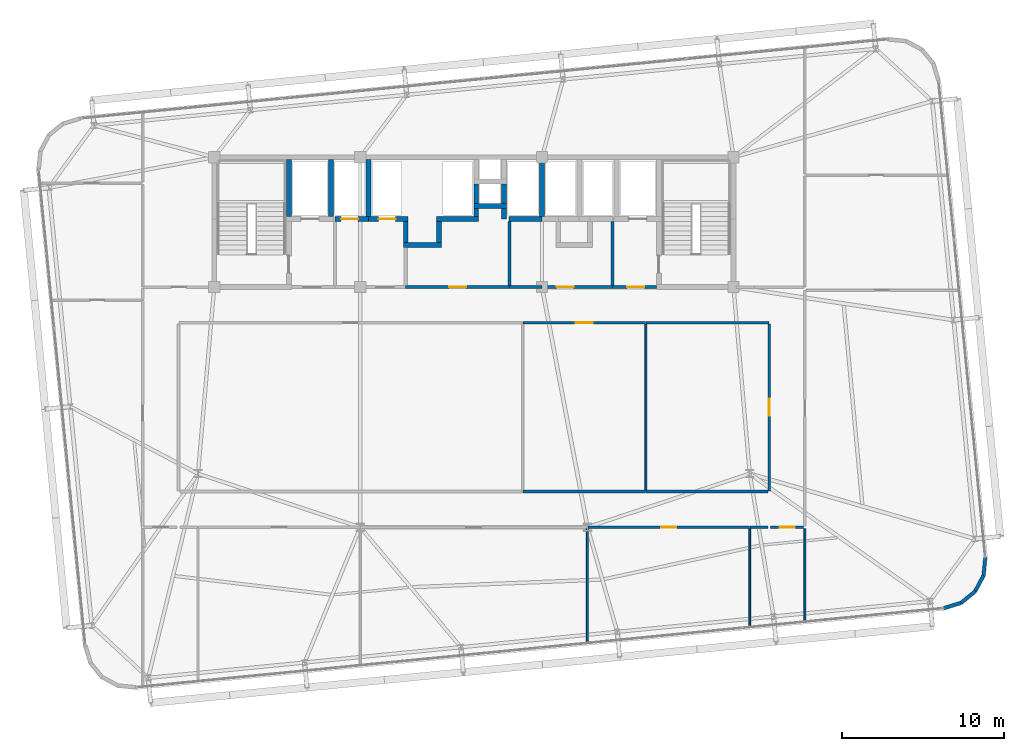
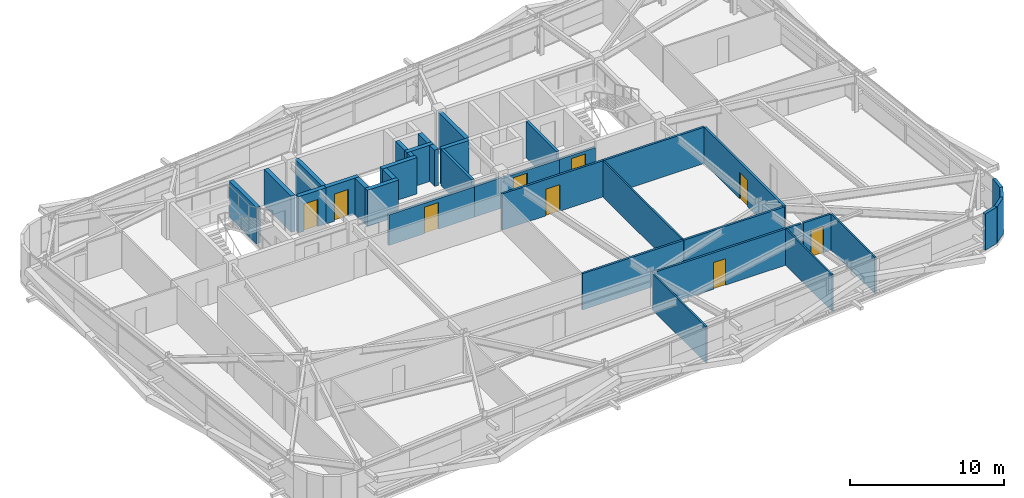
# One storey, part 42 of 47: 38 walls, 9 doors, 9 openings.
"""IFC4 building model written with IfcOpenShell, lengths in metres."""

from ifc_helpers import new_model, si_unit, direction, frame, frame_2d, origin, place, context, subcontext, project, spatial, rectangle, extrude, source, transform, mapped, material, layer, layer_set, type_object, element, fill, save


model = new_model("IFC4")

# Units and contexts
model_context = context("Model", 3, precision=1e-05, world=origin(), true_north=direction((0.0, 1.0)))
body_context = subcontext(model_context, "Body", "Model", "MODEL_VIEW")
ifc_project = project(units=[si_unit("LENGTHUNIT", "METRE"), si_unit("AREAUNIT", "SQUARE_METRE"), si_unit("VOLUMEUNIT", "CUBIC_METRE"), si_unit("PLANEANGLEUNIT", "RADIAN"), si_unit("MASSUNIT", "GRAM", prefix="KILO")], contexts=[model_context])

# Site, building, storey
site_placement = place(None, origin())
site = spatial("IfcSite", under=ifc_project, at=site_placement, CompositionType="ELEMENT")
building_placement = place(site_placement, origin())
building = spatial("IfcBuilding", under=site, at=building_placement, Name="Taldren Reach Tower", CompositionType="ELEMENT")
storey_placement = place(building_placement, frame((0.0, 0.0, 109.199951171875)))
storey = spatial("IfcBuildingStorey", under=building, at=storey_placement, Name="L33", CompositionType="ELEMENT", Elevation=109.199951171875)

# Walls
ifc_material_1 = material(Name="Pale Champagne Anodised Aluminium Cladding", Category="aluminium")
ifc_layer_1 = layer(ifc_material_1, 0.04, Name="Pale Champagne Anodised Aluminium Cladding", Category="aluminium")
ifc_material_2 = material(Name="Mineral Wool Acoustic Insulation", Category="insulation")
ifc_layer_2 = layer(ifc_material_2, 0.06, Name="Mineral Wool Acoustic Insulation", Category="insulation")
ifc_material_3 = material(Name="Steel Gr 350 (C350L0)", Category="steel")
ifc_layer_3 = layer(ifc_material_3, 0.12, Name="Steel Gr 350 (C350L0)", Category="steel")
ifc_layer_set_1 = layer_set([ifc_layer_1, ifc_layer_2, ifc_layer_3], Name="Pale Champagne Aluminium Cladding and Steel Gr 350 Stud Framing")
wall_type_1 = type_object("IfcWallType", Name="EW-CRN-220", PredefinedType="SOLIDWALL", material=ifc_layer_set_1)
shared_shape_1 = source(origin(), body_context, "Body", "SweptSolid", [
    extrude(rectangle(XDim=1.115966796875, YDim=0.219970703125, at=frame_2d((0.55810546875, 0.0))), origin(), (0.0, 0.0, 1.0), 2.8701171875),
])
for number, where, z_axis, x_axis, name in (
    (1, (65.01708984375, 4.537109375, 0.0), (0.0, 0.0, 1.0), (0.773342870285, 0.633988016432, 0.0), "Rounded-corner pale-metal facade wall L33-SE2"),
    (2, (66.406494140625, 6.228515625, 0.0), (0.0, 0.0, 1.0), (0.09844234778, 0.995142755671, 0.0), "Rounded-corner pale-metal facade wall L33-SE4"),
):
    element("IfcWall", number, at=place(storey_placement, frame(where, z_axis=z_axis, x_axis=x_axis)), inside=storey, type_object=wall_type_1, Name=name, PredefinedType="SOLIDWALL", context=body_context, shape_type="MappedRepresentation", body=[
        mapped(shared_shape_1, transform((0.0, 0.0, 0.0), scale=1.0)),
    ])
shared_shape_2 = source(origin(), body_context, "Body", "SweptSolid", [
    extrude(rectangle(XDim=1.11572265625, YDim=0.219970703125, at=frame_2d((0.557861328125, 0.0))), origin(), (0.0, 0.0, 1.0), 2.8701171875),
])
for number, where, z_axis, x_axis, name in (
    (3, (63.94921875, 4.213623046875, 0.0), (0.0, 0.0, 1.0), (0.957052003726, 0.289916301997, 0.0), "Rounded-corner pale-metal facade wall L33-SE1"),
    (4, (65.880126953125, 5.24462890625, 0.0), (0.0, 0.0, 1.0), (0.471723463201, 0.881746547635, 0.0), "Rounded-corner pale-metal facade wall L33-SE3"),
):
    element("IfcWall", number, at=place(storey_placement, frame(where, z_axis=z_axis, x_axis=x_axis)), inside=storey, type_object=wall_type_1, Name=name, PredefinedType="SOLIDWALL", context=body_context, shape_type="MappedRepresentation", body=[
        mapped(shared_shape_2, transform((0.0, 0.0, 0.0), scale=1.0)),
    ])

# Wall, opening, door
ifc_material_4 = material(Name="Fire-Rated Acoustic Plasterboard Stud Wall", Category="gypsum")
ifc_layer_4 = layer(ifc_material_4, 0.159912109375)
ifc_layer_set_2 = layer_set([ifc_layer_4], Name="Fire-Rated Acoustic Plasterboard Stud Wall")
wall_type_2 = type_object("IfcWallType", Name="IW-FIRE-160", PredefinedType="PARTITIONING", material=ifc_layer_set_2)
shared_shape_3 = source(origin(), body_context, "Body", "SweptSolid", [
    extrude(rectangle(XDim=10.2998046875, YDim=0.159912109375, at=frame_2d((5.14990234375, 0.0))), origin(), (0.0, 0.0, 1.0), 2.8701171875),
])
wall_1_placement = place(storey_placement, frame((53.199951171875, 11.420166015625, 0.0), z_axis=(0.0, 0.0, 1.0), x_axis=(0.0, 1.0, 0.0)))
wall_1 = element("IfcWall", 5, at=wall_1_placement, inside=storey, type_object=wall_type_2, Name="Interior Partition Wall W-INT-L33-048", PredefinedType="PARTITIONING", context=body_context, shape_type="MappedRepresentation", body=[
    mapped(shared_shape_3, transform((0.0, 0.0, 0.0), scale=1.0)),
])
shared_shape_4 = source(origin(), body_context, "Body", "SweptSolid", [
    extrude(rectangle(XDim=1.050048828125, YDim=2.10009765625, at=frame_2d((0.52490234375, 1.050048828125))), frame((0.0, 0.08984375, 0.0), z_axis=(0.0, -1.0, 0.0), x_axis=(1.0, 0.0, 0.0)), (0.0, 0.0, 1.0), 0.179931640625),
])
opening_1_placement = place(wall_1_placement, frame((4.65478515625, 0.0, 0.0)))
opening_1 = element("IfcOpeningElement", 6, at=opening_1_placement, cuts=wall_1, Name="Opening DF-105", PredefinedType="OPENING", context=body_context, shape_type="MappedRepresentation", body=[
    mapped(shared_shape_4, transform((0.0, 0.0, 0.0), scale=1.0)),
])
ifc_material_5 = material(Name="Fire-Rated Care and Stair Exit Door")
door_type_1 = type_object("IfcDoorType", Name="ID-FIRE-105", OperationType="NOTDEFINED", PredefinedType="DOOR", material=ifc_material_5)
shared_shape_5 = source(origin(), body_context, "Body", "SweptSolid", [
    extrude(rectangle(XDim=1.050048828125, YDim=2.10009765625, at=frame_2d((0.52490234375, 1.050048828125))), frame((0.0, 0.02490234375, 0.0), z_axis=(0.0, -1.0, 0.0), x_axis=(1.0, 0.0, 0.0)), (0.0, 0.0, 1.0), 0.050048828125),
])
door_1_placement = place(opening_1_placement, origin())
door_1 = element("IfcDoor", 7, at=door_1_placement, inside=storey, type_object=door_type_1, Name="Interior Door DR-L33-010", OperationType="SINGLE_SWING_LEFT", OverallHeight=2.10009765625, OverallWidth=1.050048828125, PredefinedType="DOOR", context=body_context, shape_type="MappedRepresentation", body=[
    mapped(shared_shape_5, transform((0.0, 0.0, 0.0), scale=1.0)),
])
fill(opening_1, door_1)

shared_shape_6 = source(origin(), body_context, "Body", "SweptSolid", [
    extrude(rectangle(XDim=9.95947265625, YDim=0.159912109375, at=frame_2d((4.979736328125, 0.0))), origin(), (0.0, 0.0, 1.0), 2.8701171875),
])
wall_2_placement = place(storey_placement, frame((51.979736328125, 9.199951171875, 0.0), z_axis=(0.0, 0.0, 1.0), x_axis=(-1.0, 0.0, 0.0)))
wall_2 = element("IfcWall", 8, at=wall_2_placement, inside=storey, type_object=wall_type_2, Name="Interior Partition Wall W-INT-L33-063", PredefinedType="PARTITIONING", context=body_context, shape_type="MappedRepresentation", body=[
    mapped(shared_shape_6, transform((0.0, 0.0, 0.0), scale=1.0)),
])
shared_shape_7 = source(origin(), body_context, "Body", "SweptSolid", [
    extrude(rectangle(XDim=0.919921875, YDim=2.10009765625, at=frame_2d((0.4599609375, 1.050048828125))), frame((0.0, 0.08984375, 0.0), z_axis=(0.0, -1.0, 0.0), x_axis=(1.0, 0.0, 0.0)), (0.0, 0.0, 1.0), 0.179931640625),
])
opening_2_placement = place(wall_2_placement, frame((4.519775390625, 0.0, 0.0)))
opening_2 = element("IfcOpeningElement", 9, at=opening_2_placement, cuts=wall_2, Name="Opening DI-092", PredefinedType="OPENING", context=body_context, shape_type="MappedRepresentation", body=[
    mapped(shared_shape_7, transform((0.0, 0.0, 0.0), scale=1.0)),
])
ifc_material_6 = material(Name="Solid-Core Timber Suite Door", Category="wood")
door_type_2 = type_object("IfcDoorType", Name="ID-INT-092", OperationType="NOTDEFINED", PredefinedType="DOOR", material=ifc_material_6)
shared_shape_8 = source(origin(), body_context, "Body", "SweptSolid", [
    extrude(rectangle(XDim=0.919921875, YDim=2.10009765625, at=frame_2d((0.4599609375, 1.050048828125))), frame((0.0, 0.02490234375, 0.0), z_axis=(0.0, -1.0, 0.0), x_axis=(1.0, 0.0, 0.0)), (0.0, 0.0, 1.0), 0.050048828125),
])
door_2_placement = place(opening_2_placement, origin())
door_2 = element("IfcDoor", 10, at=door_2_placement, inside=storey, type_object=door_type_2, Name="Interior Door DR-L33-018", OperationType="SINGLE_SWING_LEFT", OverallHeight=2.10009765625, OverallWidth=0.919921875, PredefinedType="DOOR", context=body_context, shape_type="MappedRepresentation", body=[
    mapped(shared_shape_8, transform((0.0, 0.0, 0.0), scale=1.0)),
])
fill(opening_2, door_2)

shared_shape_9 = source(origin(), body_context, "Body", "SweptSolid", [
    extrude(rectangle(XDim=2.0400390625, YDim=0.159912109375, at=frame_2d((1.02001953125, 0.0))), origin(), (0.0, 0.0, 1.0), 2.8701171875),
])
wall_3_placement = place(storey_placement, frame((55.320068359375, 9.199951171875, 0.0), z_axis=(0.0, 0.0, 1.0), x_axis=(-1.0, 0.0, 0.0)))
wall_3 = element("IfcWall", 11, at=wall_3_placement, inside=storey, type_object=wall_type_2, Name="Interior Partition Wall W-INT-L33-051", PredefinedType="PARTITIONING", context=body_context, shape_type="MappedRepresentation", body=[
    mapped(shared_shape_9, transform((0.0, 0.0, 0.0), scale=1.0)),
])
opening_3_placement = place(wall_3_placement, frame((0.56005859375, 0.0, 0.0)))
opening_3 = element("IfcOpeningElement", 12, at=opening_3_placement, cuts=wall_3, Name="Opening DI-092", PredefinedType="OPENING", context=body_context, shape_type="MappedRepresentation", body=[
    mapped(shared_shape_7, transform((0.0, 0.0, 0.0), scale=1.0)),
])
door_3_placement = place(opening_3_placement, origin())
door_3 = element("IfcDoor", 13, at=door_3_placement, inside=storey, type_object=door_type_2, Name="Interior Door DR-L33-012", OperationType="SINGLE_SWING_LEFT", OverallHeight=2.10009765625, OverallWidth=0.919921875, PredefinedType="DOOR", context=body_context, shape_type="MappedRepresentation", body=[
    mapped(shared_shape_8, transform((0.0, 0.0, 0.0), scale=1.0)),
])
fill(opening_3, door_3)

# Walls
shared_shape_10 = source(origin(), body_context, "Body", "SweptSolid", [
    extrude(rectangle(XDim=1.099853515625, YDim=0.159912109375, at=frame_2d((0.5498046875, 0.0))), origin(), (0.0, 0.0, 1.0), 2.8701171875),
])
wall_4_placement = place(storey_placement, frame((53.1201171875, 9.199951171875, 0.0), z_axis=(0.0, 0.0, 1.0), x_axis=(-1.0, 0.0, 0.0)))
element("IfcWall", 14, at=wall_4_placement, inside=storey, type_object=wall_type_2, Name="Interior Partition Wall W-INT-L33-064", PredefinedType="PARTITIONING", context=body_context, shape_type="MappedRepresentation", body=[
    mapped(shared_shape_10, transform((0.0, 0.0, 0.0), scale=1.0)),
])
ifc_material_7 = material(Name="Insulated Residential Stud Partition", Category="gypsum")
ifc_layer_5 = layer(ifc_material_7, 0.1201171875)
ifc_layer_set_3 = layer_set([ifc_layer_5], Name="Insulated Residential Stud Partition")
wall_type_3 = type_object("IfcWallType", Name="IW-PART-120", PredefinedType="PARTITIONING", material=ifc_layer_set_3)
shared_shape_11 = source(origin(), body_context, "Body", "SweptSolid", [
    extrude(rectangle(XDim=10.239990234375, YDim=0.1201171875, at=frame_2d((5.1201171875, 0.0))), origin(), (0.0, 0.0, 1.0), 2.8701171875),
])
wall_5_placement = place(storey_placement, frame((45.60009765625, 21.719970703125, 0.0), z_axis=(0.0, 0.0, 1.0), x_axis=(0.0, -1.0, 0.0)))
element("IfcWall", 15, at=wall_5_placement, inside=storey, type_object=wall_type_3, Name="Interior Partition Wall W-INT-L33-066", PredefinedType="PARTITIONING", context=body_context, shape_type="MappedRepresentation", body=[
    mapped(shared_shape_11, transform((0.0, 0.0, 0.0), scale=1.0)),
])
ifc_material_8 = material(Name="Concrete S65 (65 MPa)", Category="concrete")
ifc_layer_6 = layer(ifc_material_8, 0.300048828125)
ifc_layer_set_4 = layer_set([ifc_layer_6], Name="Concrete S65 (65 MPa)")
wall_type_4 = type_object("IfcWallType", Name="IW-CORE-300", PredefinedType="SHEAR", material=ifc_layer_set_4)
shared_shape_12 = source(origin(), body_context, "Body", "SweptSolid", [
    extrude(rectangle(XDim=3.5, YDim=0.300048828125, at=frame_2d((1.75, 0.0))), origin(), (0.0, 0.0, 1.0), 2.8701171875),
])
for number, where, z_axis, x_axis, name in (
    (16, (23.60009765625, 28.35009765625, 0.0), (0.0, 0.0, 1.0), (0.0, 1.0, 0.0), "Rear Core Shear Wall W-INT-L33-001"),
    (17, (26.199951171875, 28.35009765625, 0.0), (0.0, 0.0, 1.0), (0.0, 1.0, 0.0), "Rear Core Shear Wall W-INT-L33-005"),
    (18, (28.5, 28.35009765625, 0.0), (0.0, 0.0, 1.0), (0.0, 1.0, 0.0), "Rear Core Shear Wall W-INT-L33-029"),
    (19, (39.199951171875, 28.35009765625, 0.0), (0.0, 0.0, 1.0), (0.0, 1.0, 0.0), "Rear Core Shear Wall W-INT-L33-036"),
):
    element("IfcWall", number, at=place(storey_placement, frame(where, z_axis=z_axis, x_axis=x_axis)), inside=storey, type_object=wall_type_4, Name=name, PredefinedType="SHEAR", context=body_context, shape_type="MappedRepresentation", body=[
        mapped(shared_shape_12, transform((0.0, 0.0, 0.0), scale=1.0)),
    ])
ifc_material_9 = material(Name="Concrete S50 (50 MPa)", Category="concrete")
ifc_layer_7 = layer(ifc_material_9, 0.199951171875)
ifc_layer_set_5 = layer_set([ifc_layer_7], Name="Concrete S50 (50 MPa)")
wall_type_5 = type_object("IfcWallType", Name="IW-CORE-200", PredefinedType="SOLIDWALL", material=ifc_layer_set_5)
shared_shape_13 = source(origin(), body_context, "Body", "SweptSolid", [
    extrude(rectangle(XDim=3.949951171875, YDim=0.199951171875, at=frame_2d((1.97509765625, 0.0))), origin(), (0.0, 0.0, 1.0), 2.8701171875),
])
for number, where, z_axis, x_axis, name in (
    (20, (43.550048828125, 28.050048828125, 0.0), (0.0, 0.0, 1.0), (0.0, -1.0, 0.0), "Rear Core Shear Wall W-INT-L33-013"),
    (21, (37.199951171875, 28.050048828125, 0.0), (0.0, 0.0, 1.0), (0.0, -1.0, 0.0), "Rear Core Shear Wall W-INT-L33-042"),
):
    element("IfcWall", number, at=place(storey_placement, frame(where, z_axis=z_axis, x_axis=x_axis)), inside=storey, type_object=wall_type_5, Name=name, PredefinedType="SOLIDWALL", context=body_context, shape_type="MappedRepresentation", body=[
        mapped(shared_shape_13, transform((0.0, 0.0, 0.0), scale=1.0)),
    ])

# Wall, opening, door
shared_shape_14 = source(origin(), body_context, "Body", "SweptSolid", [
    extrude(rectangle(XDim=2.699951171875, YDim=0.199951171875, at=frame_2d((1.35009765625, 0.0))), origin(), (0.0, 0.0, 1.0), 2.337158203125),
])
wall_6_placement = place(storey_placement, frame((43.550048828125, 24.0, 0.0), z_axis=(0.0, 0.0, 1.0), x_axis=(1.0, 0.0, 0.0)))
wall_6 = element("IfcWall", 22, at=wall_6_placement, inside=storey, type_object=wall_type_5, Name="Rear Core Shear Wall W-INT-L33-014", PredefinedType="SOLIDWALL", context=body_context, shape_type="MappedRepresentation", body=[
    mapped(shared_shape_14, transform((0.0, 0.0, 0.0), scale=1.0)),
])
shared_shape_15 = source(origin(), body_context, "Body", "SweptSolid", [
    extrude(rectangle(XDim=1.050048828125, YDim=2.10009765625, at=frame_2d((0.52490234375, 1.050048828125))), frame((0.0, 0.10986328125, 0.0), z_axis=(0.0, -1.0, 0.0), x_axis=(1.0, 0.0, 0.0)), (0.0, 0.0, 1.0), 0.219970703125),
])
opening_4_placement = place(wall_6_placement, frame((0.89990234375, 0.0, 0.0)))
opening_4 = element("IfcOpeningElement", 23, at=opening_4_placement, cuts=wall_6, Name="Opening DF-105", PredefinedType="OPENING", context=body_context, shape_type="MappedRepresentation", body=[
    mapped(shared_shape_15, transform((0.0, 0.0, 0.0), scale=1.0)),
])
door_4_placement = place(opening_4_placement, origin())
door_4 = element("IfcDoor", 24, at=door_4_placement, inside=storey, type_object=door_type_1, Name="Interior Door DR-L33-004", OperationType="SINGLE_SWING_LEFT", OverallHeight=2.10009765625, OverallWidth=1.050048828125, PredefinedType="DOOR", context=body_context, shape_type="MappedRepresentation", body=[
    mapped(shared_shape_5, transform((0.0, 0.0, 0.0), scale=1.0)),
])
fill(opening_4, door_4)

# Walls
shared_shape_16 = source(origin(), body_context, "Body", "SweptSolid", [
    extrude(rectangle(XDim=2.0, YDim=0.300048828125, at=frame_2d((1.0, 0.0))), origin(), (0.0, 0.0, 1.0), 2.8701171875),
])
wall_7_placement = place(storey_placement, frame((35.0, 29.0, 0.0), z_axis=(0.0, 0.0, 1.0), x_axis=(1.0, 0.0, 0.0)))
element("IfcWall", 25, at=wall_7_placement, inside=storey, type_object=wall_type_4, Name="Rear Core Shear Wall W-INT-L33-020", PredefinedType="SHEAR", context=body_context, shape_type="MappedRepresentation", body=[
    mapped(shared_shape_16, transform((0.0, 0.0, 0.0), scale=1.0)),
])
shared_shape_17 = source(origin(), body_context, "Body", "SweptSolid", [
    extrude(rectangle(XDim=1.2001953125, YDim=0.300048828125, at=frame_2d((0.60009765625, 0.0))), origin(), (0.0, 0.0, 1.0), 2.8701171875),
])
for number, where, z_axis, x_axis, name in (
    (26, (35.14990234375, 30.35009765625, 0.0), (0.0, 0.0, 1.0), (0.0, -1.0, 0.0), "Rear Core Shear Wall W-INT-L33-018"),
    (27, (36.85009765625, 29.14990234375, 0.0), (0.0, 0.0, 1.0), (0.0, 1.0, 0.0), "Rear Core Shear Wall W-INT-L33-019"),
):
    element("IfcWall", number, at=place(storey_placement, frame(where, z_axis=z_axis, x_axis=x_axis)), inside=storey, type_object=wall_type_4, Name=name, PredefinedType="SHEAR", context=body_context, shape_type="MappedRepresentation", body=[
        mapped(shared_shape_17, transform((0.0, 0.0, 0.0), scale=1.0)),
    ])
shared_shape_18 = source(origin(), body_context, "Body", "SweptSolid", [
    extrude(rectangle(XDim=1.300048828125, YDim=0.300048828125, at=frame_2d((0.64990234375, 0.0))), origin(), (0.0, 0.0, 1.0), 2.8701171875),
])
for number, where, z_axis, x_axis, name in (
    (28, (30.800048828125, 28.050048828125, 0.0), (0.0, 0.0, 1.0), (0.0, -1.0, 0.0), "Rear Core Shear Wall W-INT-L33-021"),
    (29, (32.85009765625, 26.75, 0.0), (0.0, 0.0, 1.0), (0.0, 1.0, 0.0), "Rear Core Shear Wall W-INT-L33-023"),
):
    element("IfcWall", number, at=place(storey_placement, frame(where, z_axis=z_axis, x_axis=x_axis)), inside=storey, type_object=wall_type_4, Name=name, PredefinedType="SHEAR", context=body_context, shape_type="MappedRepresentation", body=[
        mapped(shared_shape_18, transform((0.0, 0.0, 0.0), scale=1.0)),
    ])
shared_shape_19 = source(origin(), body_context, "Body", "SweptSolid", [
    extrude(rectangle(XDim=2.35009765625, YDim=0.300048828125, at=frame_2d((1.175048828125, 0.0))), origin(), (0.0, 0.0, 1.0), 2.8701171875),
])
wall_8_placement = place(storey_placement, frame((30.64990234375, 26.60009765625, 0.0), z_axis=(0.0, 0.0, 1.0), x_axis=(1.0, 0.0, 0.0)))
element("IfcWall", 30, at=wall_8_placement, inside=storey, type_object=wall_type_4, Name="Rear Core Shear Wall W-INT-L33-022", PredefinedType="SHEAR", context=body_context, shape_type="MappedRepresentation", body=[
    mapped(shared_shape_19, transform((0.0, 0.0, 0.0), scale=1.0)),
])

# Wall, opening, door
shared_shape_20 = source(origin(), body_context, "Body", "SweptSolid", [
    extrude(rectangle(XDim=2.070068359375, YDim=0.300048828125, at=frame_2d((1.03515625, 0.0))), origin(), (0.0, 0.0, 1.0), 2.8701171875),
])
wall_9_placement = place(storey_placement, frame((26.429931640625, 28.199951171875, 0.0), z_axis=(0.0, 0.0, 1.0), x_axis=(1.0, 0.0, 0.0)))
wall_9 = element("IfcWall", 31, at=wall_9_placement, inside=storey, type_object=wall_type_4, Name="Rear Core Shear Wall W-INT-L33-030", PredefinedType="SHEAR", context=body_context, shape_type="MappedRepresentation", body=[
    mapped(shared_shape_20, transform((0.0, 0.0, 0.0), scale=1.0)),
])
shared_shape_21 = source(origin(), body_context, "Body", "SweptSolid", [
    extrude(rectangle(XDim=1.050048828125, YDim=2.14990234375, at=frame_2d((0.52490234375, 1.074951171875))), frame((0.0, 0.16015625, 0.0), z_axis=(0.0, -1.0, 0.0), x_axis=(1.0, 0.0, 0.0)), (0.0, 0.0, 1.0), 0.320068359375),
])
opening_5_placement = place(wall_9_placement, frame((0.39501953125, 0.0, 0.0)))
opening_5 = element("IfcOpeningElement", 32, at=opening_5_placement, cuts=wall_9, Name="Opening LD-PL1", PredefinedType="OPENING", context=body_context, shape_type="MappedRepresentation", body=[
    mapped(shared_shape_21, transform((0.0, 0.0, 0.0), scale=1.0)),
])
ifc_material_10 = material(Name="Stainless Steel Gr 316 Passenger Lift Landing Door", Category="steel")
door_type_3 = type_object("IfcDoorType", Name="LD-PAS-105", OperationType="SLIDING_TO_LEFT", PredefinedType="DOOR", material=ifc_material_10)
shared_shape_22 = source(origin(), body_context, "Body", "SweptSolid", [
    extrude(rectangle(XDim=1.050048828125, YDim=2.14990234375, at=frame_2d((0.52490234375, 1.074951171875))), frame((0.0, 0.02490234375, 0.0), z_axis=(0.0, -1.0, 0.0), x_axis=(1.0, 0.0, 0.0)), (0.0, 0.0, 1.0), 0.050048828125),
])
door_5_placement = place(opening_5_placement, origin())
door_5 = element("IfcDoor", 33, at=door_5_placement, inside=storey, type_object=door_type_3, Name="Lift Landing Door LD-PL1-L33", OperationType="SLIDING_TO_LEFT", OverallHeight=2.14990234375, OverallWidth=1.050048828125, PredefinedType="DOOR", context=body_context, shape_type="MappedRepresentation", body=[
    mapped(shared_shape_22, transform((0.0, 0.0, 0.0), scale=1.0)),
])
fill(opening_5, door_5)

shared_shape_23 = source(origin(), body_context, "Body", "SweptSolid", [
    extrude(rectangle(XDim=2.449951171875, YDim=0.300048828125, at=frame_2d((1.22509765625, 0.0))), origin(), (0.0, 0.0, 1.0), 2.8701171875),
])
wall_10_placement = place(storey_placement, frame((28.5, 28.199951171875, 0.0), z_axis=(0.0, 0.0, 1.0), x_axis=(1.0, 0.0, 0.0)))
wall_10 = element("IfcWall", 34, at=wall_10_placement, inside=storey, type_object=wall_type_4, Name="Rear Core Shear Wall W-INT-L33-031", PredefinedType="SHEAR", context=body_context, shape_type="MappedRepresentation", body=[
    mapped(shared_shape_23, transform((0.0, 0.0, 0.0), scale=1.0)),
])
opening_6_placement = place(wall_10_placement, frame((0.625, 0.0, 0.0)))
opening_6 = element("IfcOpeningElement", 35, at=opening_6_placement, cuts=wall_10, Name="Opening LD-PL2", PredefinedType="OPENING", context=body_context, shape_type="MappedRepresentation", body=[
    mapped(shared_shape_21, transform((0.0, 0.0, 0.0), scale=1.0)),
])
door_6_placement = place(opening_6_placement, origin())
door_6 = element("IfcDoor", 36, at=door_6_placement, inside=storey, type_object=door_type_3, Name="Lift Landing Door LD-PL2-L33", OperationType="SLIDING_TO_LEFT", OverallHeight=2.14990234375, OverallWidth=1.050048828125, PredefinedType="DOOR", context=body_context, shape_type="MappedRepresentation", body=[
    mapped(shared_shape_22, transform((0.0, 0.0, 0.0), scale=1.0)),
])
fill(opening_6, door_6)

# Walls
shared_shape_24 = source(origin(), body_context, "Body", "SweptSolid", [
    extrude(rectangle(XDim=2.60009765625, YDim=0.300048828125, at=frame_2d((1.300048828125, 0.0))), origin(), (0.0, 0.0, 1.0), 2.8701171875),
])
wall_11_placement = place(storey_placement, frame((32.699951171875, 28.199951171875, 0.0), z_axis=(0.0, 0.0, 1.0), x_axis=(1.0, 0.0, 0.0)))
element("IfcWall", 37, at=wall_11_placement, inside=storey, type_object=wall_type_4, Name="Rear Core Shear Wall W-INT-L33-034", PredefinedType="SHEAR", context=body_context, shape_type="MappedRepresentation", body=[
    mapped(shared_shape_24, transform((0.0, 0.0, 0.0), scale=1.0)),
])
shared_shape_25 = source(origin(), body_context, "Body", "SweptSolid", [
    extrude(rectangle(XDim=0.5, YDim=0.300048828125, at=frame_2d((0.25, 0.0))), origin(), (0.0, 0.0, 1.0), 2.8701171875),
])
wall_12_placement = place(storey_placement, frame((35.14990234375, 28.35009765625, 0.0), z_axis=(0.0, 0.0, 1.0), x_axis=(0.0, 1.0, 0.0)))
element("IfcWall", 38, at=wall_12_placement, inside=storey, type_object=wall_type_4, Name="Rear Core Shear Wall W-INT-L33-035", PredefinedType="SHEAR", context=body_context, shape_type="MappedRepresentation", body=[
    mapped(shared_shape_25, transform((0.0, 0.0, 0.0), scale=1.0)),
])
shared_shape_26 = source(origin(), body_context, "Body", "SweptSolid", [
    extrude(rectangle(XDim=0.650146484375, YDim=0.300048828125, at=frame_2d((0.3251953125, 0.0))), origin(), (0.0, 0.0, 1.0), 2.8701171875),
])
wall_13_placement = place(storey_placement, frame((36.85009765625, 28.85009765625, 0.0), z_axis=(0.0, 0.0, 1.0), x_axis=(0.0, -1.0, 0.0)))
element("IfcWall", 39, at=wall_13_placement, inside=storey, type_object=wall_type_4, Name="Rear Core Shear Wall W-INT-L33-037", PredefinedType="SHEAR", context=body_context, shape_type="MappedRepresentation", body=[
    mapped(shared_shape_26, transform((0.0, 0.0, 0.0), scale=1.0)),
])
shared_shape_27 = source(origin(), body_context, "Body", "SweptSolid", [
    extrude(rectangle(XDim=2.02001953125, YDim=0.300048828125, at=frame_2d((1.010009765625, 0.0))), origin(), (0.0, 0.0, 1.0), 2.8701171875),
])
wall_14_placement = place(storey_placement, frame((37.179931640625, 28.199951171875, 0.0), z_axis=(0.0, 0.0, 1.0), x_axis=(1.0, 0.0, 0.0)))
element("IfcWall", 40, at=wall_14_placement, inside=storey, type_object=wall_type_4, Name="Rear Core Shear Wall W-INT-L33-038", PredefinedType="SHEAR", context=body_context, shape_type="MappedRepresentation", body=[
    mapped(shared_shape_27, transform((0.0, 0.0, 0.0), scale=1.0)),
])

# Wall, opening, door
shared_shape_28 = source(origin(), body_context, "Body", "SweptSolid", [
    extrude(rectangle(XDim=6.39990234375, YDim=0.199951171875, at=frame_2d((3.199951171875, 0.0))), origin(), (0.0, 0.0, 1.0), 2.41015625),
])
wall_15_placement = place(storey_placement, frame((37.199951171875, 24.0, 0.0), z_axis=(0.0, 0.0, 1.0), x_axis=(-1.0, 0.0, 0.0)))
wall_15 = element("IfcWall", 41, at=wall_15_placement, inside=storey, type_object=wall_type_5, Name="Rear Core Shear Wall W-INT-L33-043", PredefinedType="SOLIDWALL", context=body_context, shape_type="MappedRepresentation", body=[
    mapped(shared_shape_28, transform((0.0, 0.0, 0.0), scale=1.0)),
])
opening_7_placement = place(wall_15_placement, frame((2.675048828125, 0.0, 0.0)))
opening_7 = element("IfcOpeningElement", 42, at=opening_7_placement, cuts=wall_15, Name="Opening DF-105", PredefinedType="OPENING", context=body_context, shape_type="MappedRepresentation", body=[
    mapped(shared_shape_15, transform((0.0, 0.0, 0.0), scale=1.0)),
])
door_7_placement = place(opening_7_placement, frame((1.050048828125, 0.0, 0.0), z_axis=(0.0, 0.0, 1.0), x_axis=(-1.0, 0.0, 0.0)))
door_7 = element("IfcDoor", 43, at=door_7_placement, inside=storey, type_object=door_type_1, Name="Interior Door DR-L33-006", OperationType="SINGLE_SWING_RIGHT", OverallHeight=2.10009765625, OverallWidth=1.050048828125, PredefinedType="DOOR", context=body_context, shape_type="MappedRepresentation", body=[
    mapped(shared_shape_5, transform((0.0, 0.0, 0.0), scale=1.0)),
])
fill(opening_7, door_7)

shared_shape_29 = source(origin(), body_context, "Body", "SweptSolid", [
    extrude(rectangle(XDim=4.35009765625, YDim=0.199951171875, at=frame_2d((2.175048828125, 0.0))), origin(), (0.0, 0.0, 1.0), 2.337158203125),
])
wall_16_placement = place(storey_placement, frame((43.550048828125, 24.0, 0.0), z_axis=(0.0, 0.0, 1.0), x_axis=(-1.0, 0.0, 0.0)))
wall_16 = element("IfcWall", 44, at=wall_16_placement, inside=storey, type_object=wall_type_5, Name="Rear Core Shear Wall W-INT-L33-044", PredefinedType="SOLIDWALL", context=body_context, shape_type="MappedRepresentation", body=[
    mapped(shared_shape_29, transform((0.0, 0.0, 0.0), scale=1.0)),
])
opening_8_placement = place(wall_16_placement, frame((2.39990234375, 0.0, 0.0)))
opening_8 = element("IfcOpeningElement", 45, at=opening_8_placement, cuts=wall_16, Name="Opening DF-105", PredefinedType="OPENING", context=body_context, shape_type="MappedRepresentation", body=[
    mapped(shared_shape_15, transform((0.0, 0.0, 0.0), scale=1.0)),
])
door_8_placement = place(opening_8_placement, frame((1.050048828125, 0.0, 0.0), z_axis=(0.0, 0.0, 1.0), x_axis=(-1.0, 0.0, 0.0)))
door_8 = element("IfcDoor", 46, at=door_8_placement, inside=storey, type_object=door_type_1, Name="Interior Door DR-L33-007", OperationType="SINGLE_SWING_RIGHT", OverallHeight=2.10009765625, OverallWidth=1.050048828125, PredefinedType="DOOR", context=body_context, shape_type="MappedRepresentation", body=[
    mapped(shared_shape_5, transform((0.0, 0.0, 0.0), scale=1.0)),
])
fill(opening_8, door_8)

# Wall
shared_shape_30 = source(origin(), body_context, "Body", "SweptSolid", [
    extrude(rectangle(XDim=2.0, YDim=0.199951171875, at=frame_2d((1.0, 0.0))), origin(), (0.0, 0.0, 1.0), 2.41015625),
])
wall_17_placement = place(storey_placement, frame((39.199951171875, 24.0, 0.0), z_axis=(0.0, 0.0, 1.0), x_axis=(-1.0, 0.0, 0.0)))
element("IfcWall", 47, at=wall_17_placement, inside=storey, type_object=wall_type_5, Name="Rear Core Shear Wall W-INT-L33-044 part 2", PredefinedType="SOLIDWALL", context=body_context, shape_type="MappedRepresentation", body=[
    mapped(shared_shape_30, transform((0.0, 0.0, 0.0), scale=1.0)),
])

# Wall, opening, door
shared_shape_31 = source(origin(), body_context, "Body", "SweptSolid", [
    extrude(rectangle(XDim=7.5595703125, YDim=0.159912109375, at=frame_2d((3.77978515625, 0.0))), origin(), (0.0, 0.0, 1.0), 2.8701171875),
])
wall_18_placement = place(storey_placement, frame((45.579833984375, 21.800048828125, 0.0), z_axis=(0.0, 0.0, 1.0), x_axis=(-1.0, 0.0, 0.0)))
wall_18 = element("IfcWall", 48, at=wall_18_placement, inside=storey, type_object=wall_type_2, Name="Interior Partition Wall W-INT-L33-047", PredefinedType="PARTITIONING", context=body_context, shape_type="MappedRepresentation", body=[
    mapped(shared_shape_31, transform((0.0, 0.0, 0.0), scale=1.0)),
])
opening_9_placement = place(wall_18_placement, frame((3.2548828125, 0.0, 0.0)))
opening_9 = element("IfcOpeningElement", 49, at=opening_9_placement, cuts=wall_18, Name="Opening DF-105", PredefinedType="OPENING", context=body_context, shape_type="MappedRepresentation", body=[
    mapped(shared_shape_4, transform((0.0, 0.0, 0.0), scale=1.0)),
])
door_9_placement = place(opening_9_placement, origin())
door_9 = element("IfcDoor", 50, at=door_9_placement, inside=storey, type_object=door_type_1, Name="Interior Door DR-L33-009", OperationType="SINGLE_SWING_RIGHT", OverallHeight=2.10009765625, OverallWidth=1.050048828125, PredefinedType="DOOR", context=body_context, shape_type="MappedRepresentation", body=[
    mapped(shared_shape_5, transform((0.0, 0.0, 0.0), scale=1.0)),
])
fill(opening_9, door_9)

# Walls
for number, where, z_axis, x_axis, name in (
    (51, (53.1796875, 21.800048828125, 0.0), (0.0, 0.0, 1.0), (-1.0, 0.0, 0.0), "Interior Partition Wall W-INT-L33-049"),
    (52, (38.020263671875, 11.39990234375, 0.0), (0.0, 0.0, 1.0), (1.0, 0.0, 0.0), "Interior Partition Wall W-INT-L33-058"),
):
    element("IfcWall", number, at=place(storey_placement, frame(where, z_axis=z_axis, x_axis=x_axis)), inside=storey, type_object=wall_type_2, Name=name, PredefinedType="PARTITIONING", context=body_context, shape_type="MappedRepresentation", body=[
        mapped(shared_shape_31, transform((0.0, 0.0, 0.0), scale=1.0)),
    ])
shared_shape_32 = source(origin(), body_context, "Body", "SweptSolid", [
    extrude(rectangle(XDim=7.5, YDim=0.159912109375, at=frame_2d((3.75, 0.0))), origin(), (0.0, 0.0, 1.0), 2.8701171875),
])
wall_19_placement = place(storey_placement, frame((45.6201171875, 11.39990234375, 0.0), z_axis=(0.0, 0.0, 1.0), x_axis=(1.0, 0.0, 0.0)))
element("IfcWall", 53, at=wall_19_placement, inside=storey, type_object=wall_type_2, Name="Interior Partition Wall W-INT-L33-059", PredefinedType="PARTITIONING", context=body_context, shape_type="MappedRepresentation", body=[
    mapped(shared_shape_32, transform((0.0, 0.0, 0.0), scale=1.0)),
])
shared_shape_33 = source(origin(), body_context, "Body", "SweptSolid", [
    extrude(rectangle(XDim=6.97607421875, YDim=0.1201171875, at=frame_2d((3.488037109375, 0.0))), origin(), (0.0, 0.0, 1.0), 2.8701171875),
])
wall_20_placement = place(storey_placement, frame((42.0, 9.1201171875, 0.0), z_axis=(0.0, 0.0, 1.0), x_axis=(0.0, -1.0, 0.0)))
element("IfcWall", 54, at=wall_20_placement, inside=storey, type_object=wall_type_3, Name="Interior Partition Wall W-INT-L33-070", PredefinedType="PARTITIONING", context=body_context, shape_type="MappedRepresentation", body=[
    mapped(shared_shape_33, transform((0.0, 0.0, 0.0), scale=1.0)),
])
shared_shape_34 = source(origin(), body_context, "Body", "SweptSolid", [
    extrude(rectangle(XDim=5.99560546875, YDim=0.1201171875, at=frame_2d((2.997802734375, 0.0))), origin(), (0.0, 0.0, 1.0), 2.8701171875),
])
wall_21_placement = place(storey_placement, frame((52.0, 9.1201171875, 0.0), z_axis=(0.0, 0.0, 1.0), x_axis=(0.0, -1.0, 0.0)))
element("IfcWall", 55, at=wall_21_placement, inside=storey, type_object=wall_type_3, Name="Interior Partition Wall W-INT-L33-071", PredefinedType="PARTITIONING", context=body_context, shape_type="MappedRepresentation", body=[
    mapped(shared_shape_34, transform((0.0, 0.0, 0.0), scale=1.0)),
])
shared_shape_35 = source(origin(), body_context, "Body", "SweptSolid", [
    extrude(rectangle(XDim=5.657958984375, YDim=0.1201171875, at=frame_2d((2.8291015625, 0.0))), origin(), (0.0, 0.0, 1.0), 2.8701171875),
])
wall_22_placement = place(storey_placement, frame((55.39990234375, 9.117919921875, 0.0), z_axis=(0.0, 0.0, 1.0), x_axis=(0.0, -1.0, 0.0)))
element("IfcWall", 56, at=wall_22_placement, inside=storey, type_object=wall_type_3, Name="Interior Partition Wall W-INT-L33-072", PredefinedType="PARTITIONING", context=body_context, shape_type="MappedRepresentation", body=[
    mapped(shared_shape_35, transform((0.0, 0.0, 0.0), scale=1.0)),
])

save(model, "model.ifc")
